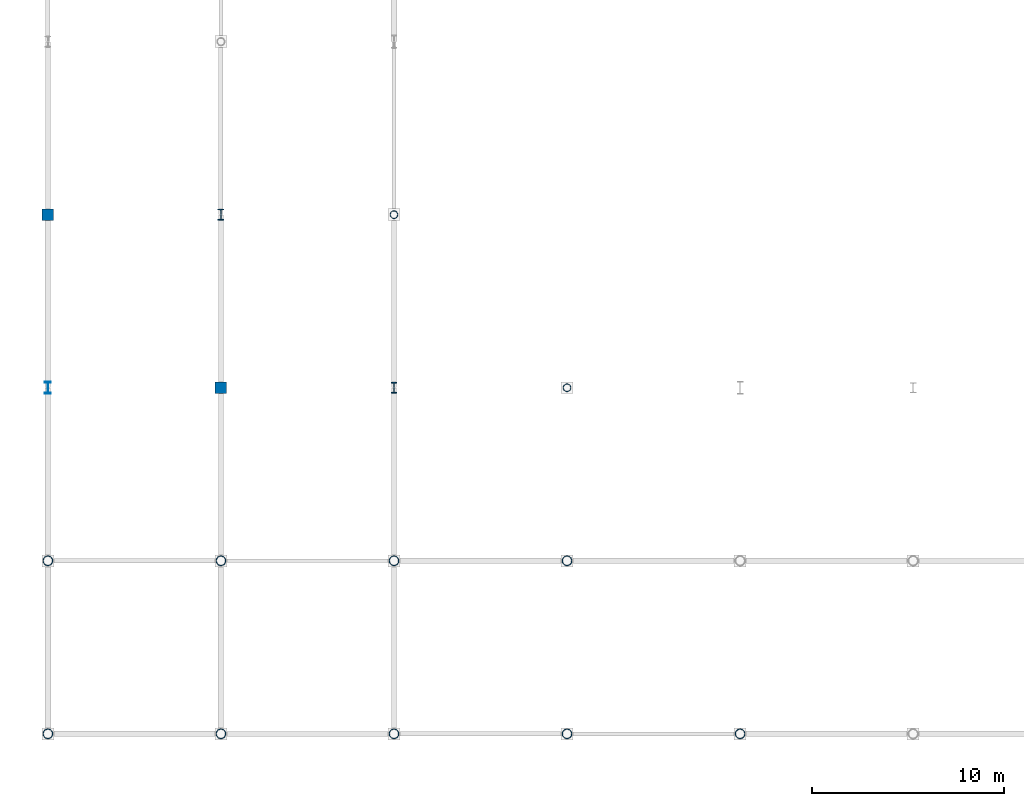
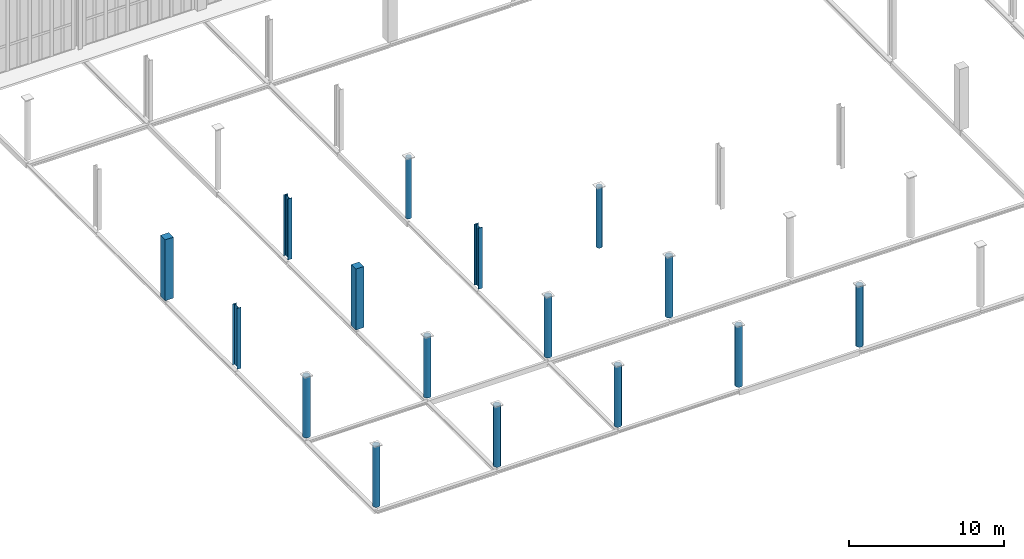
# One storey, part 1 of 196: 16 columns.
"""IFC4 building model written with IfcOpenShell, lengths in metres."""

from ifc_helpers import new_model, si_unit, direction, frame, origin, origin_2d, place, context, subcontext, project, spatial, rectangle, hollow_circle, i_section, extrude, material, material_profile, profile_set, type_object, element, save


model = new_model("IFC4")

# Units and contexts
model_context = context("Model", 3, precision=1e-05, world=origin(), true_north=direction((0.0, 1.0)))
body_context = subcontext(model_context, "Body", "Model", "MODEL_VIEW")
ifc_project = project(units=[si_unit("LENGTHUNIT", "METRE"), si_unit("AREAUNIT", "SQUARE_METRE"), si_unit("VOLUMEUNIT", "CUBIC_METRE"), si_unit("PLANEANGLEUNIT", "RADIAN"), si_unit("MASSUNIT", "GRAM", prefix="KILO")], contexts=[model_context])

# Site, building, storey
site_placement = place(None, origin())
site = spatial("IfcSite", under=ifc_project, at=site_placement, CompositionType="ELEMENT")
building_placement = place(site_placement, origin())
building = spatial("IfcBuilding", under=site, at=building_placement, Name="Barlavento Convention Centre", CompositionType="ELEMENT")
storey_placement = place(building_placement, frame((0.0, 0.0, 18.0)))
storey = spatial("IfcBuildingStorey", under=building, at=storey_placement, Name="L03", CompositionType="ELEMENT", Elevation=18.0)

# Columns
ifc_material_1 = material(Name="Steel S355", Category="steel")
ifc_material_profile_1 = material_profile(ifc_material_1, hollow_circle(Radius=0.203125, WallThickness=0.01611328125, at=origin_2d()), Name="CHS 406.4x16.0")
ifc_profile_set_1 = profile_set([ifc_material_profile_1], Name="Steel S355")
column_type_1 = type_object("IfcColumnType", Name="STR-COL-CHS406", PredefinedType="COLUMN", material=ifc_profile_set_1)
for number, where, z_axis, x_axis, name in (
    (1, (18.0, 27.0, 0.0), (0.0, 0.0, 1.0), (1.0, 0.0, 0.0), "L03 Congress hall column SC14"),
    (2, (27.0, 18.0, 0.0), (0.0, 0.0, 1.0), (1.0, 0.0, 0.0), "L03 Congress hall column SC14"),
):
    element("IfcColumn", number, at=place(storey_placement, frame(where, z_axis=z_axis, x_axis=x_axis)), inside=storey, type_object=column_type_1, Name=name, PredefinedType="COLUMN", context=body_context, shape_type="SweptSolid", body=[
        extrude(hollow_circle(Radius=0.203125, WallThickness=0.01611328125, at=origin_2d()), origin(), (0.0, 0.0, 1.0), 4.800048828125),
    ])
ifc_material_2 = material(Name="Steel S460", Category="steel")
ifc_material_profile_2 = material_profile(ifc_material_2, hollow_circle(Radius=0.25390625, WallThickness=0.02001953125, at=origin_2d()), Name="CHS 508.0x20.0")
ifc_profile_set_2 = profile_set([ifc_material_profile_2], Name="Steel S460")
column_type_2 = type_object("IfcColumnType", Name="STR-COL-CHS508", PredefinedType="COLUMN", material=ifc_profile_set_2)
for number, where, z_axis, x_axis, name in (
    (3, (0.0, 0.0, 0.0), (0.0, 0.0, 1.0), (1.0, 0.0, 0.0), "L03 Congress hall column SC13"),
    (4, (0.0, 9.0, 0.0), (0.0, 0.0, 1.0), (1.0, 0.0, 0.0), "L03 Congress hall column SC13"),
    (5, (9.0, 0.0, 0.0), (0.0, 0.0, 1.0), (1.0, 0.0, 0.0), "L03 Congress hall column SC13"),
    (6, (9.0, 9.0, 0.0), (0.0, 0.0, 1.0), (1.0, 0.0, 0.0), "L03 Congress hall column SC13"),
    (7, (18.0, 0.0, 0.0), (0.0, 0.0, 1.0), (1.0, 0.0, 0.0), "L03 Congress hall column SC13"),
    (8, (18.0, 9.0, 0.0), (0.0, 0.0, 1.0), (1.0, 0.0, 0.0), "L03 Congress hall column SC13"),
    (9, (27.0, 0.0, 0.0), (0.0, 0.0, 1.0), (1.0, 0.0, 0.0), "L03 Congress hall column SC13"),
    (10, (27.0, 9.0, 0.0), (0.0, 0.0, 1.0), (1.0, 0.0, 0.0), "L03 Congress hall column SC13"),
    (11, (36.0, 0.0, 0.0), (0.0, 0.0, 1.0), (1.0, 0.0, 0.0), "L03 Congress hall column SC13"),
):
    element("IfcColumn", number, at=place(storey_placement, frame(where, z_axis=z_axis, x_axis=x_axis)), inside=storey, type_object=column_type_2, Name=name, PredefinedType="COLUMN", context=body_context, shape_type="SweptSolid", body=[
        extrude(hollow_circle(Radius=0.25390625, WallThickness=0.02001953125, at=origin_2d()), origin(), (0.0, 0.0, 1.0), 4.800048828125),
    ])
ifc_material_profile_3 = material_profile(ifc_material_1, i_section(OverallWidth=0.300048828125, OverallDepth=0.60009765625, WebThickness=0.015380859375, FlangeThickness=0.030029296875, FilletRadius=0.027099609375, at=origin_2d()), Name="HEB 600")
ifc_profile_set_3 = profile_set([ifc_material_profile_3], Name="Steel S355")
column_type_3 = type_object("IfcColumnType", Name="STR-COL-HEB600", PredefinedType="COLUMN", material=ifc_profile_set_3)
column_placement = place(storey_placement, frame((0.0, 18.0, 0.0), z_axis=(0.0, 0.0, 1.0), x_axis=(1.0, 0.0, 0.0)))
element("IfcColumn", 12, at=column_placement, inside=storey, type_object=column_type_3, Name="L03 Congress hall column SC08", PredefinedType="COLUMN", context=body_context, shape_type="SweptSolid", body=[
    extrude(i_section(OverallWidth=0.300048828125, OverallDepth=0.60009765625, WebThickness=0.015380859375, FlangeThickness=0.030029296875, FilletRadius=0.027099609375, at=origin_2d()), origin(), (0.0, 0.0, 1.0), 4.800048828125),
])
ifc_material_profile_4 = material_profile(ifc_material_1, i_section(OverallWidth=0.305908203125, OverallDepth=0.572021484375, WebThickness=0.02099609375, FlangeThickness=0.0400390625, FilletRadius=0.027099609375, at=origin_2d()), Name="HEM 550")
ifc_profile_set_4 = profile_set([ifc_material_profile_4], Name="Steel S355")
column_type_4 = type_object("IfcColumnType", Name="STR-COL-HEM550", PredefinedType="COLUMN", material=ifc_profile_set_4)
for number, where, z_axis, x_axis, name in (
    (13, (9.0, 27.0, 0.0), (0.0, 0.0, 1.0), (1.0, 0.0, 0.0), "L03 Congress hall column SC06"),
    (14, (18.0, 18.0, 0.0), (0.0, 0.0, 1.0), (1.0, 0.0, 0.0), "L03 Congress hall column SC06"),
):
    element("IfcColumn", number, at=place(storey_placement, frame(where, z_axis=z_axis, x_axis=x_axis)), inside=storey, type_object=column_type_4, Name=name, PredefinedType="COLUMN", context=body_context, shape_type="SweptSolid", body=[
        extrude(i_section(OverallWidth=0.305908203125, OverallDepth=0.572021484375, WebThickness=0.02099609375, FlangeThickness=0.0400390625, FilletRadius=0.027099609375, at=origin_2d()), origin(), (0.0, 0.0, 1.0), 4.800048828125),
    ])
ifc_material_3 = material(Name="Concrete C40/50", Category="concrete")
ifc_material_profile_5 = material_profile(ifc_material_3, rectangle(XDim=0.60009765625, YDim=0.60009765625, at=origin_2d()), Name="RC 600x600")
ifc_profile_set_5 = profile_set([ifc_material_profile_5], Name="Concrete C40/50")
column_type_5 = type_object("IfcColumnType", Name="STR-COL-RC600", PredefinedType="COLUMN", material=ifc_profile_set_5)
for number, where, z_axis, x_axis, name in (
    (15, (0.0, 27.0, 0.0), (0.0, 0.0, 1.0), (1.0, 0.0, 0.0), "L03 Congress hall column CC07"),
    (16, (9.0, 18.0, 0.0), (0.0, 0.0, 1.0), (1.0, 0.0, 0.0), "L03 Congress hall column CC07"),
):
    element("IfcColumn", number, at=place(storey_placement, frame(where, z_axis=z_axis, x_axis=x_axis)), inside=storey, type_object=column_type_5, Name=name, PredefinedType="COLUMN", context=body_context, shape_type="SweptSolid", body=[
        extrude(rectangle(XDim=0.60009765625, YDim=0.60009765625, at=origin_2d()), origin(), (0.0, 0.0, 1.0), 4.800048828125),
    ])

save(model, "model.ifc")
